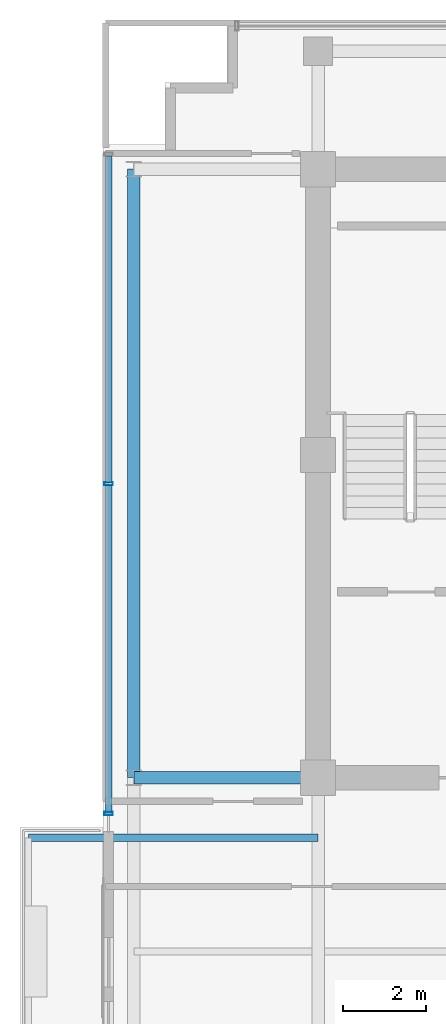
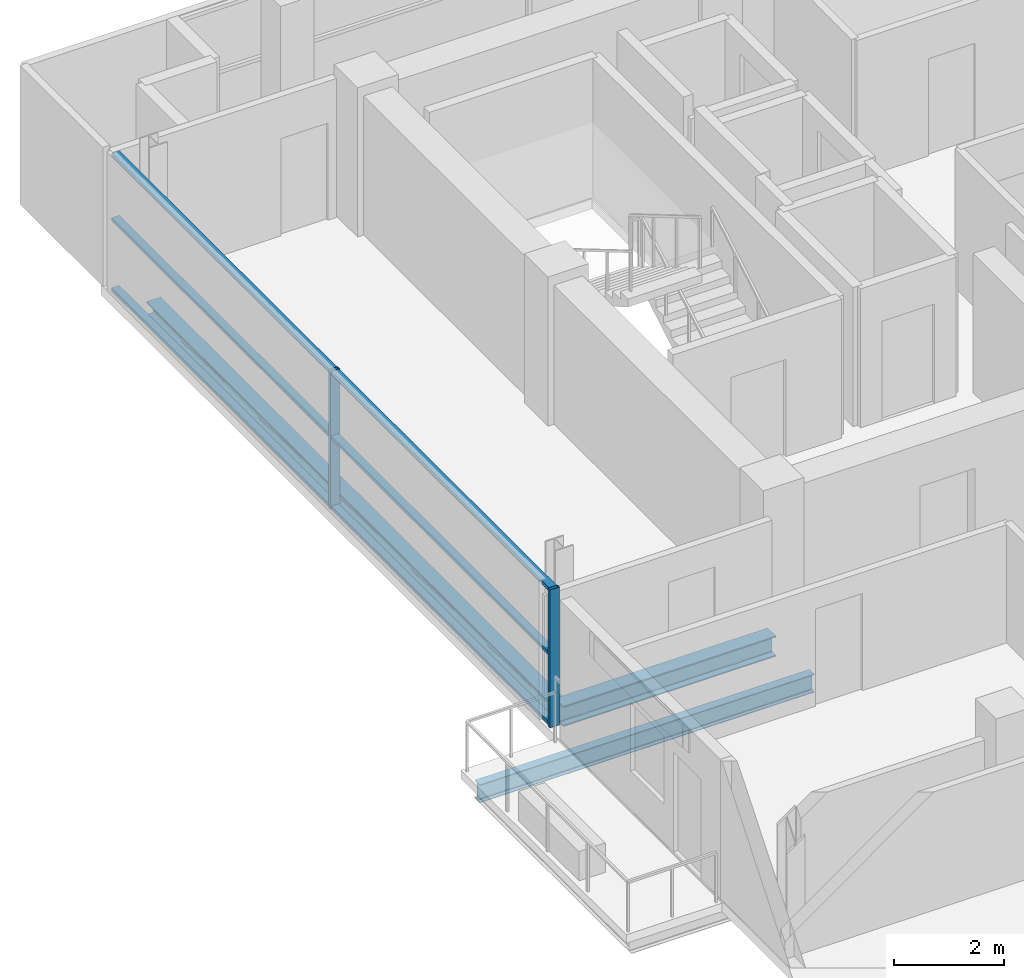
# One storey, part 5 of 21: 8 members, 3 beams, 1 element without a shape of its own.
"""IFC4 building model written with IfcOpenShell, lengths in metres."""

from ifc_helpers import new_model, si_unit, direction, frame, origin, origin_2d, place, context, subcontext, project, spatial, hollow_rectangle, i_section, extrude, source, transform, mapped, material, layer, layer_set, material_profile, profile_set, type_object, element, aggregate, save


model = new_model("IFC4")

# Units and contexts
model_context = context("Model", 3, precision=1e-05, world=origin(), true_north=direction((0.0, 1.0)))
body_context = subcontext(model_context, "Body", "Model", "MODEL_VIEW")
ifc_project = project(units=[si_unit("LENGTHUNIT", "METRE"), si_unit("AREAUNIT", "SQUARE_METRE"), si_unit("VOLUMEUNIT", "CUBIC_METRE"), si_unit("PLANEANGLEUNIT", "RADIAN"), si_unit("MASSUNIT", "GRAM", prefix="KILO")], contexts=[model_context])

# Site, building, storey
site_placement = place(None, origin())
site = spatial("IfcSite", under=ifc_project, at=site_placement, CompositionType="ELEMENT")
building_placement = place(site_placement, origin())
building = spatial("IfcBuilding", under=site, at=building_placement, Name="Zarnakvel Exchange Tower", CompositionType="ELEMENT")
storey_placement = place(building_placement, frame((0.0, 0.0, 248.5)))
storey = spatial("IfcBuildingStorey", under=building, at=storey_placement, Name="L70", CompositionType="ELEMENT", Elevation=248.5)

# Beams
ifc_material_1 = material(Name="Steel S355", Category="steel")
ifc_material_profile_1 = material_profile(ifc_material_1, i_section(OverallWidth=0.179931640625, OverallDepth=0.39990234375, WebThickness=0.008544921875, FlangeThickness=0.013427734375, FilletRadius=0.02099609375, at=origin_2d()))
ifc_profile_set_1 = profile_set([ifc_material_profile_1], Name="Steel S355")
beam_type_1 = type_object("IfcBeamType", Name="B-06", PredefinedType="JOIST", material=ifc_profile_set_1)
beam_1_placement = place(storey_placement, frame((-14.39990234375, -2.64990234375, -0.425048828125), z_axis=(-1.0, 0.0, 0.0), x_axis=(0.0, -1.0, 0.0)))
element("IfcBeam", 1, at=beam_1_placement, inside=storey, type_object=beam_type_1, Name="L70 Continuous West Loggia Beam N", PredefinedType="JOIST", context=body_context, shape_type="SweptSolid", body=[
    extrude(i_section(OverallWidth=0.179931640625, OverallDepth=0.39990234375, WebThickness=0.008544921875, FlangeThickness=0.013427734375, FilletRadius=0.02099609375, at=origin_2d()), origin(), (0.0, 0.0, 1.0), 7.0),
])
ifc_material_profile_2 = material_profile(ifc_material_1, i_section(OverallWidth=0.300048828125, OverallDepth=0.449951171875, WebThickness=0.013916015625, FlangeThickness=0.02587890625, FilletRadius=0.027099609375, at=origin_2d()))
ifc_profile_set_2 = profile_set([ifc_material_profile_2], Name="Steel S355")
beam_type_2 = type_object("IfcBeamType", Name="G-07", PredefinedType="BEAM", material=ifc_profile_set_2)
beam_2_placement = place(storey_placement, frame((-18.85009765625, -1.199951171875, -0.449951171875), z_axis=(1.0, 0.0, 0.0), x_axis=(0.0, 1.0, 0.0)))
element("IfcBeam", 2, at=beam_2_placement, inside=storey, type_object=beam_type_2, Name="L70 Tower E-W Frame Beam", PredefinedType="BEAM", context=body_context, shape_type="SweptSolid", body=[
    extrude(i_section(OverallWidth=0.300048828125, OverallDepth=0.449951171875, WebThickness=0.013916015625, FlangeThickness=0.02587890625, FilletRadius=0.027099609375, at=origin_2d()), origin(), (0.0, 0.0, 1.0), 4.4501953125),
])
ifc_material_profile_3 = material_profile(ifc_material_1, i_section(OverallWidth=0.300048828125, OverallDepth=0.300048828125, WebThickness=0.010986328125, FlangeThickness=0.01904296875, FilletRadius=0.027099609375, at=origin_2d()))
ifc_profile_set_3 = profile_set([ifc_material_profile_3], Name="Steel S355")
beam_type_3 = type_object("IfcBeamType", Name="SP-03", PredefinedType="SPANDREL", material=ifc_profile_set_3)
beam_3_placement = place(storey_placement, frame((-18.85009765625, -1.199951171875, -0.375), z_axis=(0.0, 1.0, 0.0), x_axis=(-1.0, 0.0, 0.0)))
element("IfcBeam", 3, at=beam_3_placement, inside=storey, type_object=beam_type_3, Name="L70 Tower N-S Frame Beam", PredefinedType="SPANDREL", context=body_context, shape_type="SweptSolid", body=[
    extrude(i_section(OverallWidth=0.300048828125, OverallDepth=0.300048828125, WebThickness=0.010986328125, FlangeThickness=0.01904296875, FilletRadius=0.027099609375, at=origin_2d()), origin(), (0.0, 0.0, 1.0), 14.699951171875),
])

# Curtain wall, members
ifc_material_2 = material(Name="Architectural Bronze Anodised Aluminium", Category="aluminium")
ifc_layer = layer(ifc_material_2, 0.199951171875)
ifc_layer_set = layer_set([ifc_layer], Name="Architectural Bronze Anodised Aluminium")
curtain_wall_type = type_object("IfcCurtainWallType", Name="CW-04", PredefinedType="NOTDEFINED", material=ifc_layer_set)
curtain_wall_placement = place(storey_placement, origin())
curtain_wall = element("IfcCurtainWall", 4, at=curtain_wall_placement, inside=storey, type_object=curtain_wall_type, Name="L70 Curtain Wall CW-L70-WN (CW-04)", PredefinedType="NOTDEFINED")
ifc_material_profile_4 = material_profile(ifc_material_2, hollow_rectangle(XDim=0.199951171875, YDim=0.074951171875, WallThickness=0.0048828125, at=origin_2d()))
ifc_profile_set_4 = profile_set([ifc_material_profile_4], Name="Architectural Bronze Anodised Aluminium")
member_type_1 = type_object("IfcMemberType", Name="CWM-04", PredefinedType="MULLION", material=ifc_profile_set_4)
shared_shape_1 = source(origin(), body_context, "Body", "SweptSolid", [
    extrude(hollow_rectangle(XDim=0.199951171875, YDim=0.074951171875, WallThickness=0.0048828125, at=origin_2d()), origin(), (0.0, 0.0, 1.0), 3.054931640625),
])
member_1_placement = place(storey_placement, frame((-19.4599609375, -2.0625, 0.0), z_axis=(0.0, 0.0, 1.0), x_axis=(-1.0, 0.0, 0.0)))
member_1 = element("IfcMember", 5, at=member_1_placement, type_object=member_type_1, Name="CW-04 mullion 1", PredefinedType="MULLION", context=body_context, shape_type="MappedRepresentation", body=[
    mapped(shared_shape_1, transform((0.0, 0.0, 0.0), x_axis=(1.0, 0.0, 0.0), y_axis=(0.0, 1.0, 0.0), z_axis=(0.0, 0.0, 1.0), scale=1.0)),
])
member_2_placement = place(storey_placement, frame((-19.4599609375, 5.89990234375, 0.0), z_axis=(0.0, 0.0, 1.0), x_axis=(-1.0, 0.0, 0.0)))
member_2 = element("IfcMember", 6, at=member_2_placement, type_object=member_type_1, Name="CW-04 mullion 2", PredefinedType="MULLION", context=body_context, shape_type="MappedRepresentation", body=[
    mapped(shared_shape_1, transform((0.0, 0.0, 0.0), x_axis=(1.0, 0.0, 0.0), y_axis=(0.0, 1.0, 0.0), z_axis=(0.0, 0.0, 1.0), scale=1.0)),
])
ifc_material_profile_5 = material_profile(ifc_material_2, hollow_rectangle(XDim=0.159912109375, YDim=0.074951171875, WallThickness=0.00390625, at=origin_2d()))
ifc_profile_set_5 = profile_set([ifc_material_profile_5], Name="Architectural Bronze Anodised Aluminium")
member_type_2 = type_object("IfcMemberType", Name="CWT-04", PredefinedType="USERDEFINED", material=ifc_profile_set_5)
shared_shape_2 = source(origin(), body_context, "Body", "SweptSolid", [
    extrude(hollow_rectangle(XDim=0.159912109375, YDim=0.074951171875, WallThickness=0.00390625, at=origin_2d()), origin(), (0.0, 0.0, 1.0), 7.887451171875),
])
member_3_placement = place(storey_placement, frame((-19.4599609375, -2.02490234375, 0.03759765625), z_axis=(0.0, 1.0, 0.0), x_axis=(-1.0, 0.0, 0.0)))
member_3 = element("IfcMember", 7, at=member_3_placement, type_object=member_type_2, Name="CW-04 transom 1.1", ObjectType="TRANSOM", PredefinedType="USERDEFINED", context=body_context, shape_type="MappedRepresentation", body=[
    mapped(shared_shape_2, transform((0.0, 0.0, 0.0), x_axis=(1.0, 0.0, 0.0), y_axis=(0.0, 1.0, 0.0), z_axis=(0.0, 0.0, 1.0), scale=1.0)),
])
member_4_placement = place(storey_placement, frame((-19.4599609375, -2.02490234375, 1.588623046875), z_axis=(0.0, 1.0, 0.0), x_axis=(-1.0, 0.0, 0.0)))
member_4 = element("IfcMember", 8, at=member_4_placement, type_object=member_type_2, Name="CW-04 transom 1.2", ObjectType="TRANSOM", PredefinedType="USERDEFINED", context=body_context, shape_type="MappedRepresentation", body=[
    mapped(shared_shape_2, transform((0.0, 0.0, 0.0), x_axis=(1.0, 0.0, 0.0), y_axis=(0.0, 1.0, 0.0), z_axis=(0.0, 0.0, 1.0), scale=1.0)),
])
member_5_placement = place(storey_placement, frame((-19.4599609375, -2.02490234375, 3.017578125), z_axis=(0.0, 1.0, 0.0), x_axis=(-1.0, 0.0, 0.0)))
member_5 = element("IfcMember", 9, at=member_5_placement, type_object=member_type_2, Name="CW-04 transom 1.3", ObjectType="TRANSOM", PredefinedType="USERDEFINED", context=body_context, shape_type="MappedRepresentation", body=[
    mapped(shared_shape_2, transform((0.0, 0.0, 0.0), x_axis=(1.0, 0.0, 0.0), y_axis=(0.0, 1.0, 0.0), z_axis=(0.0, 0.0, 1.0), scale=1.0)),
])
member_6_placement = place(storey_placement, frame((-19.4599609375, 5.9375, 0.03759765625), z_axis=(0.0, 1.0, 0.0), x_axis=(-1.0, 0.0, 0.0)))
member_6 = element("IfcMember", 10, at=member_6_placement, type_object=member_type_2, Name="CW-04 transom 2.1", ObjectType="TRANSOM", PredefinedType="USERDEFINED", context=body_context, shape_type="MappedRepresentation", body=[
    mapped(shared_shape_2, transform((0.0, 0.0, 0.0), x_axis=(1.0, 0.0, 0.0), y_axis=(0.0, 1.0, 0.0), z_axis=(0.0, 0.0, 1.0), scale=1.0)),
])
member_7_placement = place(storey_placement, frame((-19.4599609375, 5.9375, 1.588623046875), z_axis=(0.0, 1.0, 0.0), x_axis=(-1.0, 0.0, 0.0)))
member_7 = element("IfcMember", 11, at=member_7_placement, type_object=member_type_2, Name="CW-04 transom 2.2", ObjectType="TRANSOM", PredefinedType="USERDEFINED", context=body_context, shape_type="MappedRepresentation", body=[
    mapped(shared_shape_2, transform((0.0, 0.0, 0.0), x_axis=(1.0, 0.0, 0.0), y_axis=(0.0, 1.0, 0.0), z_axis=(0.0, 0.0, 1.0), scale=1.0)),
])
member_8_placement = place(storey_placement, frame((-19.4599609375, 5.9375, 3.017578125), z_axis=(0.0, 1.0, 0.0), x_axis=(-1.0, 0.0, 0.0)))
member_8 = element("IfcMember", 12, at=member_8_placement, type_object=member_type_2, Name="CW-04 transom 2.3", ObjectType="TRANSOM", PredefinedType="USERDEFINED", context=body_context, shape_type="MappedRepresentation", body=[
    mapped(shared_shape_2, transform((0.0, 0.0, 0.0), x_axis=(1.0, 0.0, 0.0), y_axis=(0.0, 1.0, 0.0), z_axis=(0.0, 0.0, 1.0), scale=1.0)),
])
aggregate(curtain_wall, [member_1, member_2, member_3, member_4, member_5, member_6, member_7, member_8])

save(model, "model.ifc")
